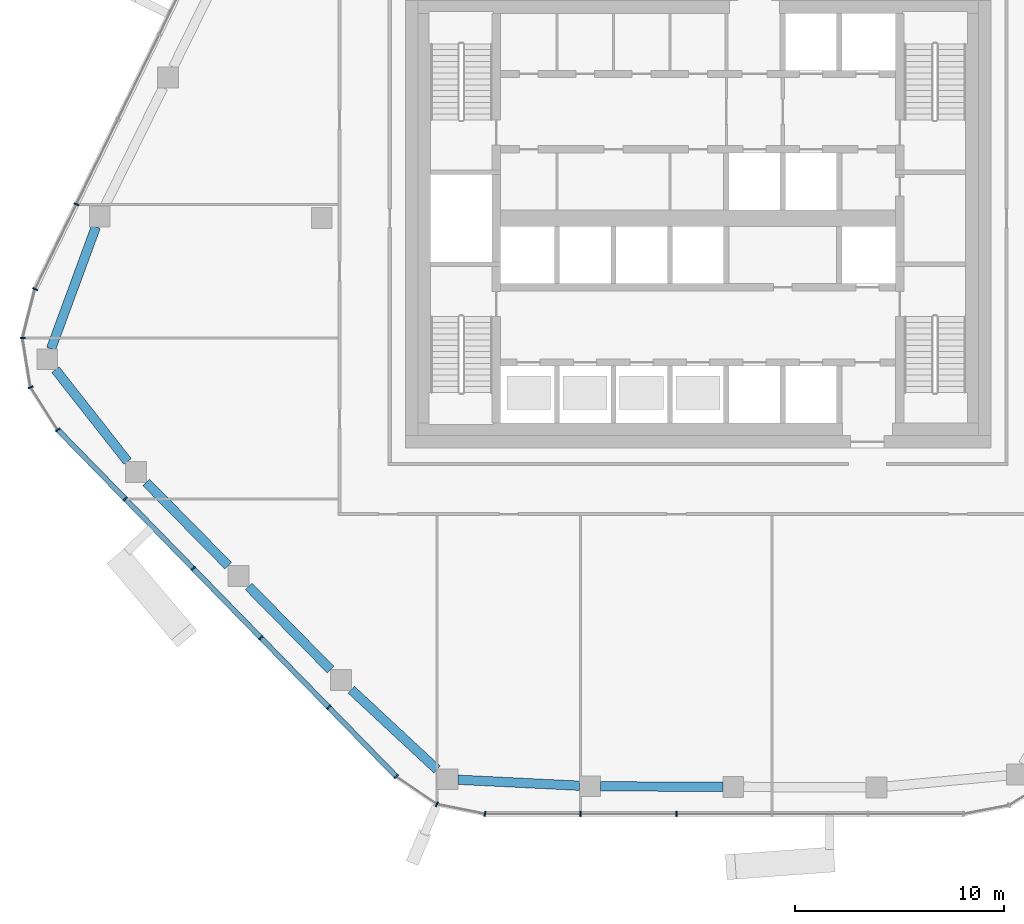
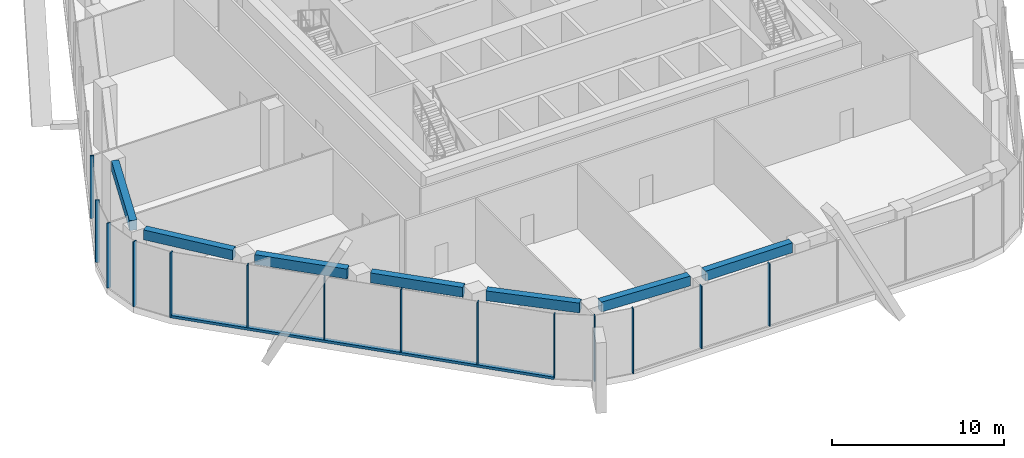
# One storey, part 2 of 20: 15 members, 7 beams, 5 elements without a shape of their own.
"""IFC4 building model written with IfcOpenShell, lengths in metres."""

from ifc_helpers import new_model, si_unit, direction, frame, origin, origin_2d, place, context, subcontext, project, spatial, rectangle, extrude, material, layer, layer_set, material_profile, profile_set, type_object, element, aggregate, save


model = new_model("IFC4")

# Units and contexts
model_context = context("Model", 3, precision=1e-05, world=origin(), true_north=direction((0.0, 1.0)))
body_context = subcontext(model_context, "Body", "Model", "MODEL_VIEW")
ifc_project = project(units=[si_unit("LENGTHUNIT", "METRE"), si_unit("AREAUNIT", "SQUARE_METRE"), si_unit("VOLUMEUNIT", "CUBIC_METRE"), si_unit("PLANEANGLEUNIT", "RADIAN"), si_unit("MASSUNIT", "GRAM", prefix="KILO")], contexts=[model_context])

# Site, building, storey
site_placement = place(None, origin())
site = spatial("IfcSite", under=ifc_project, at=site_placement, CompositionType="ELEMENT")
building_placement = place(site_placement, origin())
building = spatial("IfcBuilding", under=site, at=building_placement, Name="Dongbaek Canopy Tower", CompositionType="ELEMENT")
storey_placement = place(building_placement, frame((0.0, 0.0, 289.199951171875)))
storey = spatial("IfcBuildingStorey", under=building, at=storey_placement, Name="L61", CompositionType="ELEMENT", Elevation=289.199951171875)

# Curtain wall, members
ifc_material_1 = material(Name="Aluminium 6063-T6 pale anodised", Category="aluminium")
ifc_layer = layer(ifc_material_1, 0.25)
ifc_layer_set = layer_set([ifc_layer], Name="CW-4 sky-lobby curtain wall")
curtain_wall_type = type_object("IfcCurtainWallType", Name="CW-4 sky-lobby curtain wall", PredefinedType="NOTDEFINED", material=ifc_layer_set)
curtain_wall_1_placement = place(storey_placement, origin())
curtain_wall_1 = element("IfcCurtainWall", 1, at=curtain_wall_1_placement, inside=storey, type_object=curtain_wall_type, Name="CW-4 curtain wall F2.1", PredefinedType="NOTDEFINED")
ifc_material_2 = material(Name="Aluminium 6063-T6 pale anodised", Category="aluminium")
ifc_material_profile_1 = material_profile(ifc_material_2, rectangle(XDim=0.25, YDim=0.070068359375, at=origin_2d()), Name="CW-4 mullion 70 x 250")
ifc_profile_set_1 = profile_set([ifc_material_profile_1], Name="Aluminium 6063-T6 pale anodised")
member_type_1 = type_object("IfcMemberType", Name="CW-4 mullion 70 x 250", PredefinedType="MULLION", material=ifc_profile_set_1)
member_1_placement = place(storey_placement, frame((-29.732177734375, 0.661376953125, 0.179931640625), z_axis=(0.0, 0.0, 1.0), x_axis=(-0.898667462391, 0.438630587215, 0.0)))
member_1 = element("IfcMember", 2, at=member_1_placement, type_object=member_type_1, Name="CW-4 mullion F2.1.7", PredefinedType="MULLION", context=body_context, shape_type="SweptSolid", body=[
    extrude(rectangle(XDim=0.25, YDim=0.070068359375, at=origin_2d()), origin(), (0.0, 0.0, 1.0), 4.440185546875),
])
member_2_placement = place(storey_placement, frame((-31.709716796875, -3.390380859375, 0.179931640625), z_axis=(0.0, 0.0, 1.0), x_axis=(-0.898667462391, 0.438630587215, 0.0)))
member_2 = element("IfcMember", 3, at=member_2_placement, type_object=member_type_1, Name="CW-4 mullion F2.1.8", PredefinedType="MULLION", context=body_context, shape_type="SweptSolid", body=[
    extrude(rectangle(XDim=0.25, YDim=0.070068359375, at=origin_2d()), origin(), (0.0, 0.0, 1.0), 4.440185546875),
])
aggregate(curtain_wall_1, [member_1, member_2])

curtain_wall_2_placement = place(storey_placement, origin())
curtain_wall_2 = element("IfcCurtainWall", 4, at=curtain_wall_2_placement, inside=storey, type_object=curtain_wall_type, Name="CW-4 curtain wall K3.1", PredefinedType="NOTDEFINED")
member_3_placement = place(storey_placement, frame((-32.303955078125, -5.72265625, 0.0), z_axis=(0.0, 0.0, 1.0), x_axis=(-0.998990703879, 0.044917408247, 0.0)))
member_3 = element("IfcMember", 5, at=member_3_placement, type_object=member_type_1, Name="CW-4 mullion K3.1.2", PredefinedType="MULLION", context=body_context, shape_type="SweptSolid", body=[
    extrude(rectangle(XDim=0.25, YDim=0.070068359375, at=origin_2d()), origin(), (0.0, 0.0, 1.0), 4.6201171875),
])
member_4_placement = place(storey_placement, frame((-31.923095703125, -8.08837890625, 0.0), z_axis=(0.0, 0.0, 1.0), x_axis=(-0.934405734667, -0.356210503805, 0.0)))
member_4 = element("IfcMember", 6, at=member_4_placement, type_object=member_type_1, Name="CW-4 mullion K3.1.3", PredefinedType="MULLION", context=body_context, shape_type="SweptSolid", body=[
    extrude(rectangle(XDim=0.25, YDim=0.070068359375, at=origin_2d()), origin(), (0.0, 0.0, 1.0), 4.6201171875),
])
member_5_placement = place(storey_placement, frame((-30.626708984375, -10.1162109375, 0.0), z_axis=(0.0, 0.0, 1.0), x_axis=(-0.842558643204, -0.538604616357, 0.0)))
member_5 = element("IfcMember", 7, at=member_5_placement, type_object=member_type_1, Name="CW-4 mullion K3.1.4", PredefinedType="MULLION", context=body_context, shape_type="SweptSolid", body=[
    extrude(rectangle(XDim=0.25, YDim=0.070068359375, at=origin_2d()), origin(), (0.0, 0.0, 1.0), 4.6201171875),
])
aggregate(curtain_wall_2, [member_3, member_4, member_5])

curtain_wall_3_placement = place(storey_placement, origin())
curtain_wall_3 = element("IfcCurtainWall", 8, at=curtain_wall_3_placement, inside=storey, type_object=curtain_wall_type, Name="CW-4 curtain wall F3.1", PredefinedType="NOTDEFINED")
member_6_placement = place(storey_placement, frame((-27.39208984375, -13.429931640625, 0.179931640625), z_axis=(0.0, 0.0, 1.0), x_axis=(-0.715573906928, -0.698537031032, 0.0)))
member_6 = element("IfcMember", 9, at=member_6_placement, type_object=member_type_1, Name="CW-4 mullion F3.1.2", PredefinedType="MULLION", context=body_context, shape_type="SweptSolid", body=[
    extrude(rectangle(XDim=0.25, YDim=0.070068359375, at=origin_2d()), origin(), (0.0, 0.0, 1.0), 4.440185546875),
])
member_7_placement = place(storey_placement, frame((-24.150146484375, -16.7509765625, 0.179931640625), z_axis=(0.0, 0.0, 1.0), x_axis=(-0.715573906928, -0.698537031032, 0.0)))
member_7 = element("IfcMember", 10, at=member_7_placement, type_object=member_type_1, Name="CW-4 mullion F3.1.3", PredefinedType="MULLION", context=body_context, shape_type="SweptSolid", body=[
    extrude(rectangle(XDim=0.25, YDim=0.070068359375, at=origin_2d()), origin(), (0.0, 0.0, 1.0), 4.440185546875),
])
member_8_placement = place(storey_placement, frame((-20.908203125, -20.07177734375, 0.179931640625), z_axis=(0.0, 0.0, 1.0), x_axis=(-0.715573906928, -0.698537031032, 0.0)))
member_8 = element("IfcMember", 11, at=member_8_placement, type_object=member_type_1, Name="CW-4 mullion F3.1.4", PredefinedType="MULLION", context=body_context, shape_type="SweptSolid", body=[
    extrude(rectangle(XDim=0.25, YDim=0.070068359375, at=origin_2d()), origin(), (0.0, 0.0, 1.0), 4.440185546875),
])
member_9_placement = place(storey_placement, frame((-17.666259765625, -23.392822265625, 0.179931640625), z_axis=(0.0, 0.0, 1.0), x_axis=(-0.715573906928, -0.698537031032, 0.0)))
member_9 = element("IfcMember", 12, at=member_9_placement, type_object=member_type_1, Name="CW-4 mullion F3.1.5", PredefinedType="MULLION", context=body_context, shape_type="SweptSolid", body=[
    extrude(rectangle(XDim=0.25, YDim=0.070068359375, at=origin_2d()), origin(), (0.0, 0.0, 1.0), 4.440185546875),
])
member_10_placement = place(storey_placement, frame((-14.431396484375, -26.70654296875, 0.179931640625), z_axis=(0.0, 0.0, 1.0), x_axis=(-0.715573906928, -0.698537031032, 0.0)))
member_10 = element("IfcMember", 13, at=member_10_placement, type_object=member_type_1, Name="CW-4 mullion F3.1.6", PredefinedType="MULLION", context=body_context, shape_type="SweptSolid", body=[
    extrude(rectangle(XDim=0.25, YDim=0.070068359375, at=origin_2d()), origin(), (0.0, 0.0, 1.0), 4.440185546875),
])

curtain_wall_4_placement = place(storey_placement, origin())
curtain_wall_4 = element("IfcCurtainWall", 14, at=curtain_wall_4_placement, inside=storey, type_object=curtain_wall_type, Name="CW-4 curtain wall K4.1", PredefinedType="NOTDEFINED")
member_11_placement = place(storey_placement, frame((-12.492431640625, -28.02783203125, 0.0), z_axis=(0.0, 0.0, 1.0), x_axis=(-0.388230773345, -0.92156218815, 0.0)))
member_11 = element("IfcMember", 15, at=member_11_placement, type_object=member_type_1, Name="CW-4 mullion K4.1.2", PredefinedType="MULLION", context=body_context, shape_type="SweptSolid", body=[
    extrude(rectangle(XDim=0.25, YDim=0.070068359375, at=origin_2d()), origin(), (0.0, 0.0, 1.0), 4.6201171875),
])
member_12_placement = place(storey_placement, frame((-10.1923828125, -28.492431640625, 0.0), z_axis=(0.0, 0.0, 1.0), x_axis=(-0.198026198145, -0.980196727626, 0.0)))
member_12 = element("IfcMember", 16, at=member_12_placement, type_object=member_type_1, Name="CW-4 mullion K4.1.3", PredefinedType="MULLION", context=body_context, shape_type="SweptSolid", body=[
    extrude(rectangle(XDim=0.25, YDim=0.070068359375, at=origin_2d()), origin(), (0.0, 0.0, 1.0), 4.6201171875),
])
aggregate(curtain_wall_4, [member_11, member_12])

curtain_wall_5_placement = place(storey_placement, origin())
curtain_wall_5 = element("IfcCurtainWall", 17, at=curtain_wall_5_placement, inside=storey, type_object=curtain_wall_type, Name="CW-4 curtain wall F4.1", PredefinedType="NOTDEFINED")
member_13_placement = place(storey_placement, frame((-5.62109375, -28.492431640625, 0.179931640625), z_axis=(0.0, 0.0, 1.0), x_axis=(2.3341283e-05, -0.999999999728, 0.0)))
member_13 = element("IfcMember", 18, at=member_13_placement, type_object=member_type_1, Name="CW-4 mullion F4.1.2", PredefinedType="MULLION", context=body_context, shape_type="SweptSolid", body=[
    extrude(rectangle(XDim=0.25, YDim=0.070068359375, at=origin_2d()), origin(), (0.0, 0.0, 1.0), 4.440185546875),
])
member_14_placement = place(storey_placement, frame((-1.039794921875, -28.4921875, 0.179931640625), z_axis=(0.0, 0.0, 1.0), x_axis=(2.3341283e-05, -0.999999999728, 0.0)))
member_14 = element("IfcMember", 19, at=member_14_placement, type_object=member_type_1, Name="CW-4 mullion F4.1.3", PredefinedType="MULLION", context=body_context, shape_type="SweptSolid", body=[
    extrude(rectangle(XDim=0.25, YDim=0.070068359375, at=origin_2d()), origin(), (0.0, 0.0, 1.0), 4.440185546875),
])
aggregate(curtain_wall_5, [member_13, member_14])

# Member
ifc_material_3 = material(Name="Aluminium 6063-T6 pale anodised", Category="aluminium")
ifc_material_profile_2 = material_profile(ifc_material_3, rectangle(XDim=0.25, YDim=0.179931640625, at=origin_2d()), Name="CW-4 transom 180 x 250")
ifc_profile_set_2 = profile_set([ifc_material_profile_2], Name="Aluminium 6063-T6 pale anodised")
member_type_2 = type_object("IfcMemberType", Name="CW-4 transom 180 x 250", PredefinedType="USERDEFINED", material=ifc_profile_set_2)
member_15_placement = place(storey_placement, frame((-30.626708984375, -10.1162109375, 0.090087890625), z_axis=(0.698536468027, -0.715574456529, 0.0), x_axis=(0.715574456529, 0.698536468027, 0.0)))
member_15 = element("IfcMember", 20, at=member_15_placement, type_object=member_type_2, Name="CW-4 transom F3.1.1", ObjectType="TRANSOM", PredefinedType="USERDEFINED", context=body_context, shape_type="SweptSolid", body=[
    extrude(rectangle(XDim=0.25, YDim=0.179931640625, at=origin_2d()), origin(), (0.0, 0.0, 1.0), 23.1845703125),
])

aggregate(curtain_wall_3, [member_6, member_7, member_8, member_9, member_10, member_15])

# Beams
ifc_material_4 = material(Name="Concrete C60", Category="concrete")
ifc_material_profile_3 = material_profile(ifc_material_4, rectangle(XDim=0.449951171875, YDim=0.699951171875, at=origin_2d()), Name="RC EDGE BEAM 450x700 C60")
ifc_profile_set_3 = profile_set([ifc_material_profile_3], Name="Concrete C60")
beam_type = type_object("IfcBeamType", Name="RC EDGE BEAM 450x700 C60", PredefinedType="BEAM", material=ifc_profile_set_3)
beam_1_placement = place(storey_placement, frame((1.18310546875, -27.19482421875, 4.27001953125), z_axis=(-0.999990396242, 0.004382627582, 0.0), x_axis=(-0.004382627582, -0.999990396242, 0.0)))
element("IfcBeam", 21, at=beam_1_placement, inside=storey, type_object=beam_type, Name="EDGEBEAM:L61:02", PredefinedType="BEAM", context=body_context, shape_type="SweptSolid", body=[
    extrude(rectangle(XDim=0.449951171875, YDim=0.699951171875, at=origin_2d()), origin(), (0.0, 0.0, 1.0), 5.84912109375),
])
beam_2_placement = place(storey_placement, frame((-5.666015625, -27.142333984375, 4.27001953125), z_axis=(-0.998789160621, 0.049195656579, 0.0), x_axis=(-0.049195656579, -0.998789160621, 0.0)))
element("IfcBeam", 22, at=beam_2_placement, inside=storey, type_object=beam_type, Name="EDGEBEAM:L61:03", PredefinedType="BEAM", context=body_context, shape_type="SweptSolid", body=[
    extrude(rectangle(XDim=0.449951171875, YDim=0.699951171875, at=origin_2d()), origin(), (0.0, 0.0, 1.0), 5.826171875),
])
beam_3_placement = place(storey_placement, frame((-12.485107421875, -26.365966796875, 4.27001953125), z_axis=(-0.732266655485, 0.681018021248, 0.0), x_axis=(-0.681018021248, -0.732266655485, 0.0)))
element("IfcBeam", 23, at=beam_3_placement, inside=storey, type_object=beam_type, Name="EDGEBEAM:L61:04", PredefinedType="BEAM", context=body_context, shape_type="SweptSolid", body=[
    extrude(rectangle(XDim=0.449951171875, YDim=0.699951171875, at=origin_2d()), origin(), (0.0, 0.0, 1.0), 5.597412109375),
])
beam_4_placement = place(storey_placement, frame((-17.576416015625, -21.589111328125, 4.27001953125), z_axis=(-0.701706740597, 0.712465894062, 0.0), x_axis=(-0.712465894062, -0.701706740597, 0.0)))
element("IfcBeam", 24, at=beam_4_placement, inside=storey, type_object=beam_type, Name="EDGEBEAM:L61:05", PredefinedType="BEAM", context=body_context, shape_type="SweptSolid", body=[
    extrude(rectangle(XDim=0.449951171875, YDim=0.699951171875, at=origin_2d()), origin(), (0.0, 0.0, 1.0), 5.58203125),
])
beam_5_placement = place(storey_placement, frame((-22.478515625, -16.612060546875, 4.27001953125), z_axis=(-0.701708081315, 0.712464573588, 0.0), x_axis=(-0.712464573588, -0.701708081315, 0.0)))
element("IfcBeam", 25, at=beam_5_placement, inside=storey, type_object=beam_type, Name="EDGEBEAM:L61:06", PredefinedType="BEAM", context=body_context, shape_type="SweptSolid", body=[
    extrude(rectangle(XDim=0.449951171875, YDim=0.699951171875, at=origin_2d()), origin(), (0.0, 0.0, 1.0), 5.58349609375),
])
beam_6_placement = place(storey_placement, frame((-27.282470703125, -11.634033203125, 4.27001953125), z_axis=(-0.618340786972, 0.78591009102, 0.0), x_axis=(-0.78591009102, -0.618340786972, 0.0)))
element("IfcBeam", 26, at=beam_6_placement, inside=storey, type_object=beam_type, Name="EDGEBEAM:L61:07", PredefinedType="BEAM", context=body_context, shape_type="SweptSolid", body=[
    extrude(rectangle(XDim=0.449951171875, YDim=0.699951171875, at=origin_2d()), origin(), (0.0, 0.0, 1.0), 5.58447265625),
])
beam_7_placement = place(storey_placement, frame((-30.945068359375, -6.2451171875, 4.27001953125), z_axis=(0.345138950659, 0.938551599401, 0.0), x_axis=(-0.938551599401, 0.345138950659, 0.0)))
element("IfcBeam", 27, at=beam_7_placement, inside=storey, type_object=beam_type, Name="EDGEBEAM:L61:08", PredefinedType="BEAM", context=body_context, shape_type="SweptSolid", body=[
    extrude(rectangle(XDim=0.449951171875, YDim=0.699951171875, at=origin_2d()), origin(), (0.0, 0.0, 1.0), 6.212890625),
])

save(model, "model.ifc")
